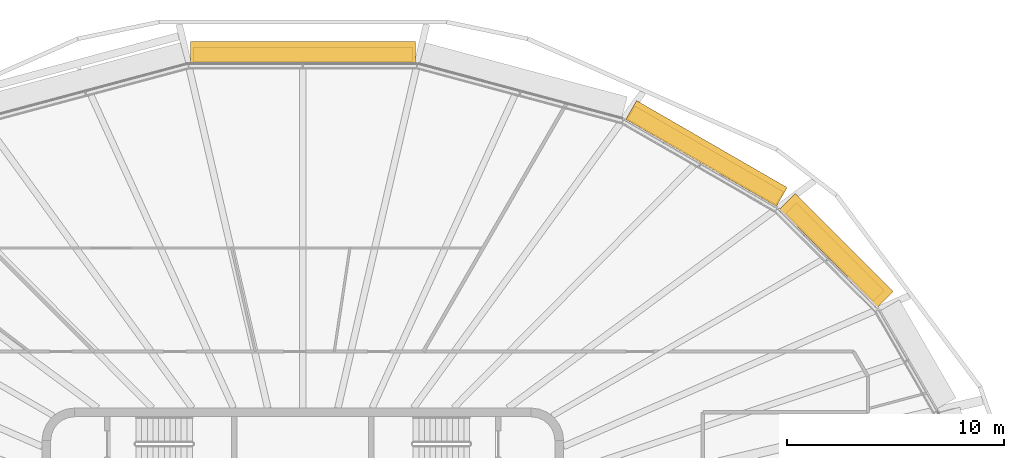
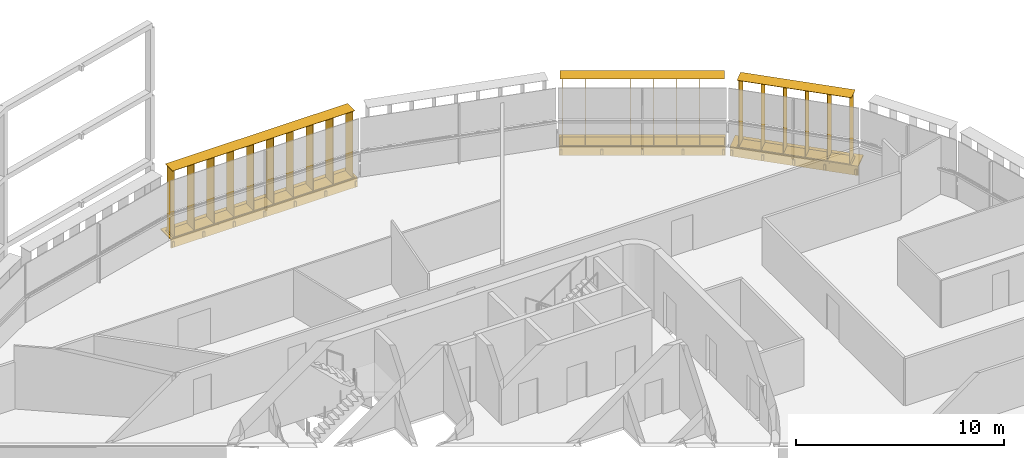
# One storey, part 20 of 20: 6 shading devices.
"""IFC4 building model written with IfcOpenShell, lengths in metres."""

from ifc_helpers import new_model, si_unit, direction, frame, origin, origin_2d, place, context, subcontext, project, spatial, rectangle, extrude, material, type_object, element, save


model = new_model("IFC4")

# Units and contexts
model_context = context("Model", 3, precision=1e-05, world=origin(), true_north=direction((0.0, 1.0)))
body_context = subcontext(model_context, "Body", "Model", "MODEL_VIEW")
ifc_project = project(units=[si_unit("LENGTHUNIT", "METRE"), si_unit("AREAUNIT", "SQUARE_METRE"), si_unit("VOLUMEUNIT", "CUBIC_METRE"), si_unit("PLANEANGLEUNIT", "RADIAN"), si_unit("MASSUNIT", "GRAM", prefix="KILO")], contexts=[model_context])

# Site, building, storey
site_placement = place(None, origin())
site = spatial("IfcSite", under=ifc_project, at=site_placement, CompositionType="ELEMENT")
building_placement = place(site_placement, origin())
building = spatial("IfcBuilding", under=site, at=building_placement, Name="Sahrelin Media Tower", CompositionType="ELEMENT")
storey_placement = place(building_placement, frame((0.0, 0.0, 237.60009765625)))
storey = spatial("IfcBuildingStorey", under=building, at=storey_placement, Name="L51", CompositionType="ELEMENT", Elevation=237.60009765625)

# Shading devices
ifc_material = material(Name="Champagne anodised aluminium 6063-T6", Category="aluminium")
shading_device_type_1 = type_object("IfcShadingDeviceType", Name="Fin cassette", PredefinedType="USERDEFINED", material=ifc_material)
placement_1 = place(storey_placement, frame((24.1865234375, 13.88330078125, 0.0), z_axis=(0.0, 0.0, 1.0), x_axis=(0.707106781187, -0.707106781187, 0.0)))
element("IfcShadingDevice", 1, at=placement_1, inside=storey, type_object=shading_device_type_1, Name="L51:FIN:L51-03", ObjectType="FIN", PredefinedType="USERDEFINED", context=body_context, shape_type="SweptSolid", body=[
    extrude(rectangle(XDim=5.699951171875, YDim=0.699951171875, at=origin_2d()), frame((0.0, 0.419921875, 0.0)), (0.0, 0.0, 1.0), 0.02001953125),
    extrude(rectangle(XDim=5.699951171875, YDim=0.699951171875, at=origin_2d()), frame((0.0, 0.419921875, 3.89990234375)), (0.0, 0.0, 1.0), 0.02001953125),
    extrude(rectangle(XDim=0.02001953125, YDim=0.699951171875, at=origin_2d()), frame((-2.75, 0.419921875, 0.010009765625), z_axis=(0.0, 0.0, 1.0), x_axis=(1.0, 0.0, 0.0)), (0.0, 0.0, 1.0), 3.89990234375),
    extrude(rectangle(XDim=0.02001953125, YDim=0.699951171875, at=origin_2d()), frame((-1.64990234375, 0.419921875, 0.010009765625), z_axis=(0.0, 0.0, 1.0), x_axis=(1.0, 0.0, 0.0)), (0.0, 0.0, 1.0), 3.89990234375),
    extrude(rectangle(XDim=0.02001953125, YDim=0.699951171875, at=origin_2d()), frame((-0.550048828125, 0.419921875, 0.010009765625), z_axis=(0.0, 0.0, 1.0), x_axis=(1.0, 0.0, 0.0)), (0.0, 0.0, 1.0), 3.89990234375),
    extrude(rectangle(XDim=0.02001953125, YDim=0.699951171875, at=origin_2d()), frame((0.550048828125, 0.419921875, 0.010009765625), z_axis=(0.0, 0.0, 1.0), x_axis=(1.0, 0.0, 0.0)), (0.0, 0.0, 1.0), 3.89990234375),
    extrude(rectangle(XDim=0.02001953125, YDim=0.699951171875, at=origin_2d()), frame((1.64990234375, 0.419921875, 0.010009765625), z_axis=(0.0, 0.0, 1.0), x_axis=(1.0, 0.0, 0.0)), (0.0, 0.0, 1.0), 3.89990234375),
    extrude(rectangle(XDim=0.02001953125, YDim=0.699951171875, at=origin_2d()), frame((2.75, 0.419921875, 0.010009765625), z_axis=(0.0, 0.0, 1.0), x_axis=(1.0, 0.0, 0.0)), (0.0, 0.0, 1.0), 3.89990234375),
])
placement_2 = place(storey_placement, frame((18.3115234375, 18.25830078125, 0.0), z_axis=(0.0, 0.0, 1.0), x_axis=(0.866019052629, -0.500011000363, 0.0)))
element("IfcShadingDevice", 2, at=placement_2, inside=storey, type_object=shading_device_type_1, Name="L51:FIN:L51-04", ObjectType="FIN", PredefinedType="USERDEFINED", context=body_context, shape_type="SweptSolid", body=[
    extrude(rectangle(XDim=7.89990234375, YDim=0.699951171875, at=origin_2d()), frame((0.0, 0.419921875, 0.0)), (0.0, 0.0, 1.0), 0.02001953125),
    extrude(rectangle(XDim=7.89990234375, YDim=0.699951171875, at=origin_2d()), frame((0.0, 0.419921875, 3.89990234375)), (0.0, 0.0, 1.0), 0.02001953125),
    extrude(rectangle(XDim=0.02001953125, YDim=0.699951171875, at=origin_2d()), frame((-3.85009765625, 0.419921875, 0.010009765625), z_axis=(0.0, 0.0, 1.0), x_axis=(1.0, 0.0, 0.0)), (0.0, 0.0, 1.0), 3.89990234375),
    extrude(rectangle(XDim=0.02001953125, YDim=0.699951171875, at=origin_2d()), frame((-2.75, 0.419921875, 0.010009765625), z_axis=(0.0, 0.0, 1.0), x_axis=(1.0, 0.0, 0.0)), (0.0, 0.0, 1.0), 3.89990234375),
    extrude(rectangle(XDim=0.02001953125, YDim=0.699951171875, at=origin_2d()), frame((-1.64990234375, 0.419921875, 0.010009765625), z_axis=(0.0, 0.0, 1.0), x_axis=(1.0, 0.0, 0.0)), (0.0, 0.0, 1.0), 3.89990234375),
    extrude(rectangle(XDim=0.02001953125, YDim=0.699951171875, at=origin_2d()), frame((-0.550048828125, 0.419921875, 0.010009765625), z_axis=(0.0, 0.0, 1.0), x_axis=(1.0, 0.0, 0.0)), (0.0, 0.0, 1.0), 3.89990234375),
    extrude(rectangle(XDim=0.02001953125, YDim=0.699951171875, at=origin_2d()), frame((0.550048828125, 0.419921875, 0.010009765625), z_axis=(0.0, 0.0, 1.0), x_axis=(1.0, 0.0, 0.0)), (0.0, 0.0, 1.0), 3.89990234375),
    extrude(rectangle(XDim=0.02001953125, YDim=0.699951171875, at=origin_2d()), frame((1.64990234375, 0.419921875, 0.010009765625), z_axis=(0.0, 0.0, 1.0), x_axis=(1.0, 0.0, 0.0)), (0.0, 0.0, 1.0), 3.89990234375),
    extrude(rectangle(XDim=0.02001953125, YDim=0.699951171875, at=origin_2d()), frame((2.75, 0.419921875, 0.010009765625), z_axis=(0.0, 0.0, 1.0), x_axis=(1.0, 0.0, 0.0)), (0.0, 0.0, 1.0), 3.89990234375),
    extrude(rectangle(XDim=0.02001953125, YDim=0.699951171875, at=origin_2d()), frame((3.85009765625, 0.419921875, 0.010009765625), z_axis=(0.0, 0.0, 1.0), x_axis=(1.0, 0.0, 0.0)), (0.0, 0.0, 1.0), 3.89990234375),
])
placement_3 = place(storey_placement, frame((0.0, 22.85009765625, 0.0), z_axis=(0.0, 0.0, 1.0), x_axis=(1.0, 0.0, 0.0)))
element("IfcShadingDevice", 3, at=placement_3, inside=storey, type_object=shading_device_type_1, Name="L51:FIN:L51-06", ObjectType="FIN", PredefinedType="USERDEFINED", context=body_context, shape_type="SweptSolid", body=[
    extrude(rectangle(XDim=10.10009765625, YDim=0.699951171875, at=origin_2d()), frame((0.0, 0.419921875, 0.0)), (0.0, 0.0, 1.0), 0.02001953125),
    extrude(rectangle(XDim=10.10009765625, YDim=0.699951171875, at=origin_2d()), frame((0.0, 0.419921875, 3.89990234375)), (0.0, 0.0, 1.0), 0.02001953125),
    extrude(rectangle(XDim=0.02001953125, YDim=0.699951171875, at=origin_2d()), frame((-4.949951171875, 0.419921875, 0.010009765625), z_axis=(0.0, 0.0, 1.0), x_axis=(1.0, 0.0, 0.0)), (0.0, 0.0, 1.0), 3.89990234375),
    extrude(rectangle(XDim=0.02001953125, YDim=0.699951171875, at=origin_2d()), frame((-3.85009765625, 0.419921875, 0.010009765625), z_axis=(0.0, 0.0, 1.0), x_axis=(1.0, 0.0, 0.0)), (0.0, 0.0, 1.0), 3.89990234375),
    extrude(rectangle(XDim=0.02001953125, YDim=0.699951171875, at=origin_2d()), frame((-2.75, 0.419921875, 0.010009765625), z_axis=(0.0, 0.0, 1.0), x_axis=(1.0, 0.0, 0.0)), (0.0, 0.0, 1.0), 3.89990234375),
    extrude(rectangle(XDim=0.02001953125, YDim=0.699951171875, at=origin_2d()), frame((-1.64990234375, 0.419921875, 0.010009765625), z_axis=(0.0, 0.0, 1.0), x_axis=(1.0, 0.0, 0.0)), (0.0, 0.0, 1.0), 3.89990234375),
    extrude(rectangle(XDim=0.02001953125, YDim=0.699951171875, at=origin_2d()), frame((-0.550048828125, 0.419921875, 0.010009765625), z_axis=(0.0, 0.0, 1.0), x_axis=(1.0, 0.0, 0.0)), (0.0, 0.0, 1.0), 3.89990234375),
    extrude(rectangle(XDim=0.02001953125, YDim=0.699951171875, at=origin_2d()), frame((0.550048828125, 0.419921875, 0.010009765625), z_axis=(0.0, 0.0, 1.0), x_axis=(1.0, 0.0, 0.0)), (0.0, 0.0, 1.0), 3.89990234375),
    extrude(rectangle(XDim=0.02001953125, YDim=0.699951171875, at=origin_2d()), frame((1.64990234375, 0.419921875, 0.010009765625), z_axis=(0.0, 0.0, 1.0), x_axis=(1.0, 0.0, 0.0)), (0.0, 0.0, 1.0), 3.89990234375),
    extrude(rectangle(XDim=0.02001953125, YDim=0.699951171875, at=origin_2d()), frame((2.75, 0.419921875, 0.010009765625), z_axis=(0.0, 0.0, 1.0), x_axis=(1.0, 0.0, 0.0)), (0.0, 0.0, 1.0), 3.89990234375),
    extrude(rectangle(XDim=0.02001953125, YDim=0.699951171875, at=origin_2d()), frame((3.85009765625, 0.419921875, 0.010009765625), z_axis=(0.0, 0.0, 1.0), x_axis=(1.0, 0.0, 0.0)), (0.0, 0.0, 1.0), 3.89990234375),
    extrude(rectangle(XDim=0.02001953125, YDim=0.699951171875, at=origin_2d()), frame((4.949951171875, 0.419921875, 0.010009765625), z_axis=(0.0, 0.0, 1.0), x_axis=(1.0, 0.0, 0.0)), (0.0, 0.0, 1.0), 3.89990234375),
])
shading_device_type_2 = type_object("IfcShadingDeviceType", Name="Sunshade band", PredefinedType="USERDEFINED", material=ifc_material)
element("IfcShadingDevice", 4, at=placement_1, inside=storey, type_object=shading_device_type_2, Name="L51:SUN:L51-03", ObjectType="SUNSHADE", PredefinedType="USERDEFINED", context=body_context, shape_type="SweptSolid", body=[
    extrude(rectangle(XDim=6.377197265625, YDim=0.050048828125, at=origin_2d()), frame((0.0, 0.044921875, -0.55126953125)), (0.0, 0.0, 1.0), 0.471435546875),
    extrude(rectangle(XDim=6.377197265625, YDim=1.0, at=origin_2d()), frame((0.0, 0.52001953125, -0.080078125)), (0.0, 0.0, 1.0), 0.080078125),
    extrude(rectangle(XDim=0.10009765625, YDim=0.074951171875, at=origin_2d()), frame((-3.08837890625, -0.017578125, -0.47021484375)), (0.0, 0.0, 1.0), 0.300048828125),
    extrude(rectangle(XDim=0.10009765625, YDim=0.074951171875, at=origin_2d()), frame((-1.544189453125, -0.017578125, -0.47021484375)), (0.0, 0.0, 1.0), 0.300048828125),
    extrude(rectangle(XDim=0.10009765625, YDim=0.074951171875, at=origin_2d()), frame((0.0, -0.017578125, -0.47021484375)), (0.0, 0.0, 1.0), 0.300048828125),
    extrude(rectangle(XDim=0.10009765625, YDim=0.074951171875, at=origin_2d()), frame((1.544189453125, -0.017578125, -0.47021484375)), (0.0, 0.0, 1.0), 0.300048828125),
    extrude(rectangle(XDim=0.10009765625, YDim=0.074951171875, at=origin_2d()), frame((3.08837890625, -0.017578125, -0.47021484375)), (0.0, 0.0, 1.0), 0.300048828125),
])
element("IfcShadingDevice", 5, at=placement_2, inside=storey, type_object=shading_device_type_2, Name="L51:SUN:L51-04", ObjectType="SUNSHADE", PredefinedType="USERDEFINED", context=body_context, shape_type="SweptSolid", body=[
    extrude(rectangle(XDim=7.997314453125, YDim=0.050048828125, at=origin_2d()), frame((0.0, 0.044921875, -0.55126953125)), (0.0, 0.0, 1.0), 0.471435546875),
    extrude(rectangle(XDim=7.997314453125, YDim=1.0, at=origin_2d()), frame((0.0, 0.52001953125, -0.080078125)), (0.0, 0.0, 1.0), 0.080078125),
    extrude(rectangle(XDim=0.10009765625, YDim=0.074951171875, at=origin_2d()), frame((-3.898681640625, -0.017578125, -0.47021484375)), (0.0, 0.0, 1.0), 0.300048828125),
    extrude(rectangle(XDim=0.10009765625, YDim=0.074951171875, at=origin_2d()), frame((-1.949462890625, -0.017578125, -0.47021484375)), (0.0, 0.0, 1.0), 0.300048828125),
    extrude(rectangle(XDim=0.10009765625, YDim=0.074951171875, at=origin_2d()), frame((0.0, -0.017578125, -0.47021484375)), (0.0, 0.0, 1.0), 0.300048828125),
    extrude(rectangle(XDim=0.10009765625, YDim=0.074951171875, at=origin_2d()), frame((1.949462890625, -0.017578125, -0.47021484375)), (0.0, 0.0, 1.0), 0.300048828125),
    extrude(rectangle(XDim=0.10009765625, YDim=0.074951171875, at=origin_2d()), frame((3.898681640625, -0.017578125, -0.47021484375)), (0.0, 0.0, 1.0), 0.300048828125),
])
element("IfcShadingDevice", 6, at=placement_3, inside=storey, type_object=shading_device_type_2, Name="L51:SUN:L51-06", ObjectType="SUNSHADE", PredefinedType="USERDEFINED", context=body_context, shape_type="SweptSolid", body=[
    extrude(rectangle(XDim=10.3466796875, YDim=0.050048828125, at=origin_2d()), frame((0.0, 0.044921875, -0.55126953125)), (0.0, 0.0, 1.0), 0.471435546875),
    extrude(rectangle(XDim=10.3466796875, YDim=1.0, at=origin_2d()), frame((0.0, 0.52001953125, -0.080078125)), (0.0, 0.0, 1.0), 0.080078125),
    extrude(rectangle(XDim=0.10009765625, YDim=0.074951171875, at=origin_2d()), frame((-5.0732421875, -0.017578125, -0.47021484375)), (0.0, 0.0, 1.0), 0.300048828125),
    extrude(rectangle(XDim=0.10009765625, YDim=0.074951171875, at=origin_2d()), frame((-3.382080078125, -0.017578125, -0.47021484375)), (0.0, 0.0, 1.0), 0.300048828125),
    extrude(rectangle(XDim=0.10009765625, YDim=0.074951171875, at=origin_2d()), frame((-1.691162109375, -0.017578125, -0.47021484375)), (0.0, 0.0, 1.0), 0.300048828125),
    extrude(rectangle(XDim=0.10009765625, YDim=0.074951171875, at=origin_2d()), frame((0.0, -0.017578125, -0.47021484375)), (0.0, 0.0, 1.0), 0.300048828125),
    extrude(rectangle(XDim=0.10009765625, YDim=0.074951171875, at=origin_2d()), frame((1.691162109375, -0.017578125, -0.47021484375)), (0.0, 0.0, 1.0), 0.300048828125),
    extrude(rectangle(XDim=0.10009765625, YDim=0.074951171875, at=origin_2d()), frame((3.382080078125, -0.017578125, -0.47021484375)), (0.0, 0.0, 1.0), 0.300048828125),
    extrude(rectangle(XDim=0.10009765625, YDim=0.074951171875, at=origin_2d()), frame((5.0732421875, -0.017578125, -0.47021484375)), (0.0, 0.0, 1.0), 0.300048828125),
])

save(model, "model.ifc")
